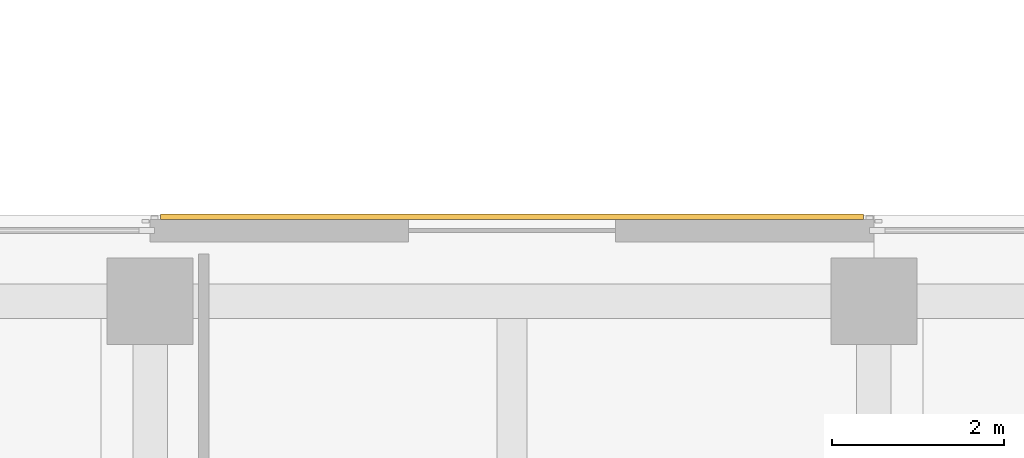
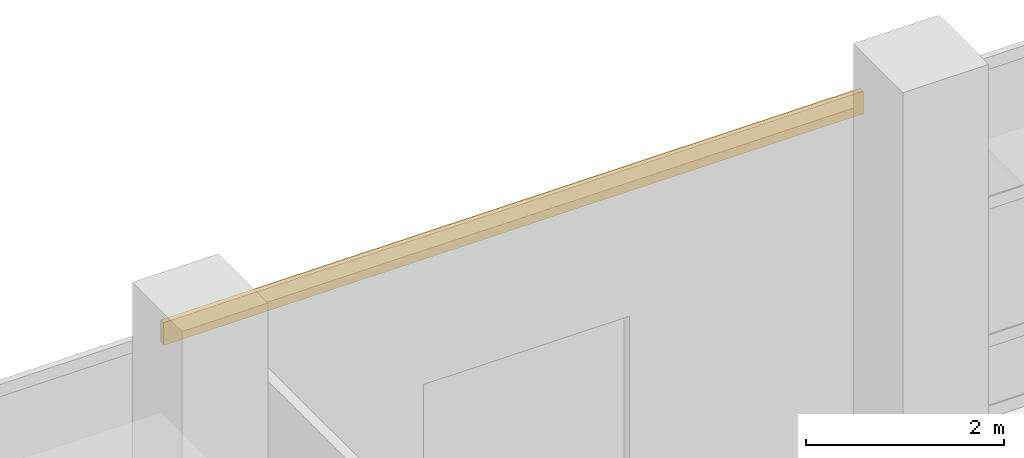
# One storey, part 110 of 140: 1 covering.
"""IFC4 building model written with IfcOpenShell, lengths in metres."""

from ifc_helpers import new_model, si_unit, direction, frame, origin, origin_2d, place, context, subcontext, project, spatial, rectangle, extrude, material, layer, layer_set, type_object, element, save


model = new_model("IFC4")

# Units and contexts
model_context = context("Model", 3, precision=1e-05, world=origin(), true_north=direction((0.0, 1.0)))
body_context = subcontext(model_context, "Body", "Model", "MODEL_VIEW")
ifc_project = project(units=[si_unit("LENGTHUNIT", "METRE"), si_unit("AREAUNIT", "SQUARE_METRE"), si_unit("VOLUMEUNIT", "CUBIC_METRE"), si_unit("PLANEANGLEUNIT", "RADIAN"), si_unit("MASSUNIT", "GRAM", prefix="KILO")], contexts=[model_context])

# Site, building, storey
site_placement = place(None, origin())
site = spatial("IfcSite", under=ifc_project, at=site_placement, CompositionType="ELEMENT")
building_placement = place(site_placement, origin())
building = spatial("IfcBuilding", under=site, at=building_placement, Name="Telukmera Botanical Conservatory", CompositionType="ELEMENT")
storey_placement = place(building_placement, origin())
storey = spatial("IfcBuildingStorey", under=building, at=storey_placement, Name="L00", CompositionType="ELEMENT", Elevation=0.0)

# Covering
ifc_material = material(Name="Terracotta-faced precast concrete C40/50", Category="masonry")
ifc_layer = layer(ifc_material, 0.06005859375)
ifc_layer_set = layer_set([ifc_layer], Name="Terracotta-faced precast concrete C40/50")
covering_type = type_object("IfcCoveringType", Name="Polychrome Terracotta Facade Band Cladding", PredefinedType="CLADDING", material=ifc_layer_set)
covering_placement = place(storey_placement, frame((71.39990234375, 49.179931640625, 4.1298828125), z_axis=(0.0, 0.0, 1.0), x_axis=(1.0, 0.0, 0.0)))
element("IfcCovering", 1, at=covering_placement, inside=storey, type_object=covering_type, Name="Polychrome Terracotta Band V4:L00:N3", PredefinedType="CLADDING", context=body_context, shape_type="SweptSolid", body=[
    extrude(rectangle(XDim=8.156005859375, YDim=0.06005859375, at=origin_2d()), origin(), (0.0, 0.0, 1.0), 0.280029296875),
])

save(model, "model.ifc")
